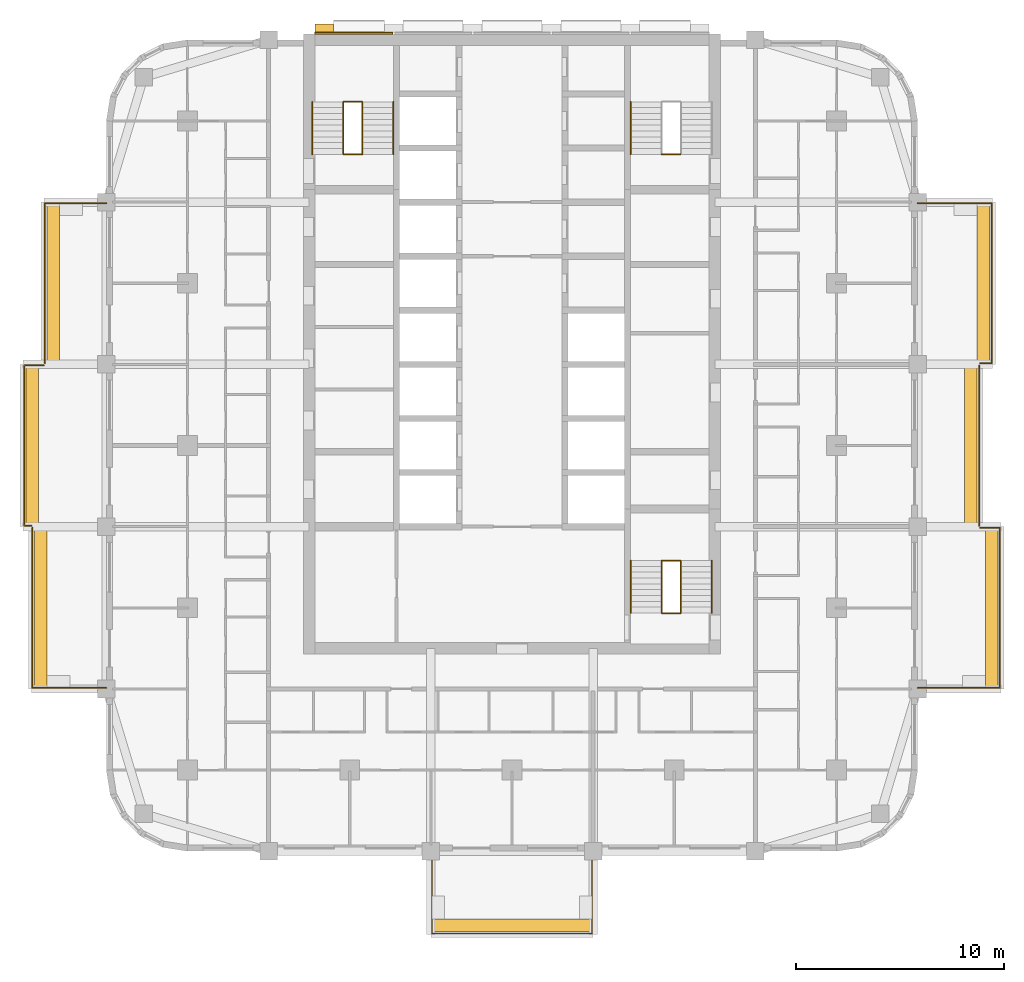
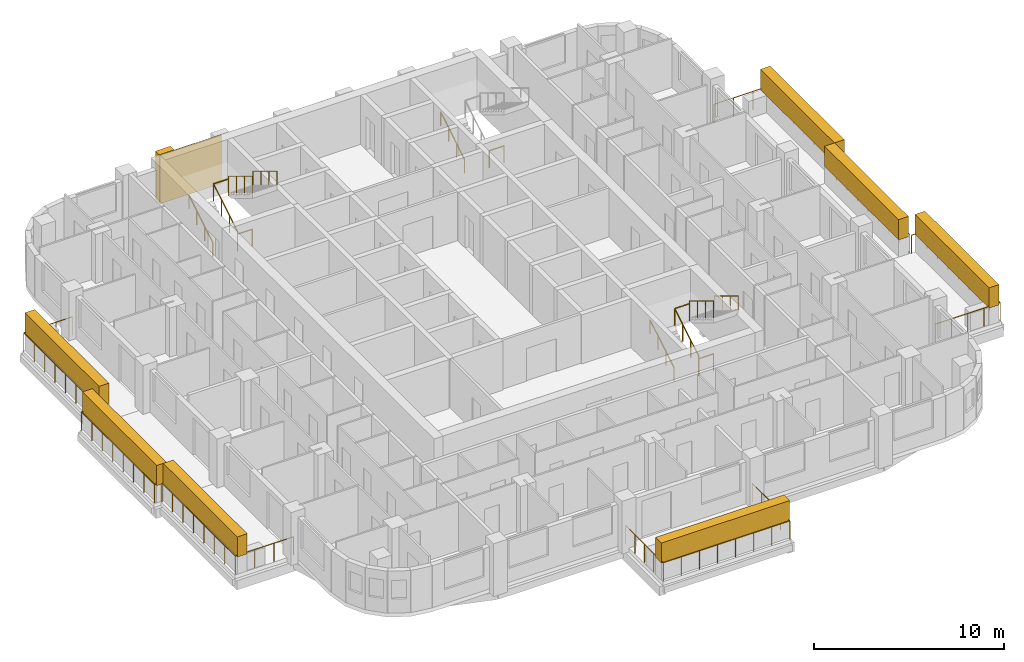
# One storey, part 13 of 14: 21 railings, 9 coverings, 3 elements without a shape of their own.
"""IFC4 building model written with IfcOpenShell, lengths in metres."""

from ifc_helpers import new_model, si_unit, direction, frame, origin, origin_2d, place, context, subcontext, project, spatial, rectangle, circle, extrude, material, layer, layer_set, type_object, element, aggregate, save


model = new_model("IFC4")

# Units and contexts
model_context = context("Model", 3, precision=1e-05, world=origin(), true_north=direction((0.0, 1.0)))
body_context = subcontext(model_context, "Body", "Model", "MODEL_VIEW")
ifc_project = project(units=[si_unit("LENGTHUNIT", "METRE"), si_unit("AREAUNIT", "SQUARE_METRE"), si_unit("VOLUMEUNIT", "CUBIC_METRE"), si_unit("PLANEANGLEUNIT", "RADIAN"), si_unit("MASSUNIT", "GRAM", prefix="KILO")], contexts=[model_context])

# Site, building, storey
site_placement = place(None, origin())
site = spatial("IfcSite", under=ifc_project, at=site_placement, CompositionType="ELEMENT")
building_placement = place(site_placement, origin())
building = spatial("IfcBuilding", under=site, at=building_placement, Name="Ludao Terraces", CompositionType="ELEMENT")
storey_placement = place(building_placement, frame((0.0, 0.0, 106.699951171875)))
storey = spatial("IfcBuildingStorey", under=building, at=storey_placement, Name="L29", CompositionType="ELEMENT", Elevation=106.699951171875)

# Railings
ifc_material_1 = material(Name="Stainless steel 304", Category="steel")
railing_type_1 = type_object("IfcRailingType", Name="ENV Balcony glass guard 1200", PredefinedType="GUARDRAIL", material=ifc_material_1)
railing_1_placement = place(storey_placement, frame((81.14990234375, 45.5, 0.0)))
element("IfcRailing", 1, at=railing_1_placement, inside=storey, type_object=railing_type_1, Name="Balcony guard L29 S1", PredefinedType="GUARDRAIL", context=body_context, shape_type="SweptSolid", body=[
    extrude(circle(Radius=0.02392578125, at=origin_2d()), frame((0.0, 0.0, 1.17578125), z_axis=(0.0, -1.0, 0.0), x_axis=(1.0, 0.0, 0.0)), (0.0, 0.0, 1.0), 3.949951171875),
    extrude(circle(Radius=0.02392578125, at=origin_2d()), frame((0.0, -3.949951171875, 1.17578125), z_axis=(1.0, 0.0, 0.0), x_axis=(0.0, 1.0, 0.0)), (0.0, 0.0, 1.0), 7.7001953125),
    extrude(circle(Radius=0.02392578125, at=origin_2d()), frame((7.7001953125, -3.949951171875, 1.17578125), z_axis=(0.0, 1.0, 0.0), x_axis=(-1.0, 0.0, 0.0)), (0.0, 0.0, 1.0), 3.949951171875),
    extrude(circle(Radius=0.02099609375, at=origin_2d()), origin(), (0.0, 0.0, 1.0), 1.15185546875),
    extrude(circle(Radius=0.02099609375, at=origin_2d()), frame((0.0, -0.987548828125, 0.0)), (0.0, 0.0, 1.0), 1.15185546875),
    extrude(circle(Radius=0.02099609375, at=origin_2d()), frame((0.0, -1.97509765625, 0.0)), (0.0, 0.0, 1.0), 1.15185546875),
    extrude(circle(Radius=0.02099609375, at=origin_2d()), frame((0.0, -2.96240234375, 0.0)), (0.0, 0.0, 1.0), 1.15185546875),
    extrude(circle(Radius=0.02099609375, at=origin_2d()), frame((0.0, -3.949951171875, 0.0)), (0.0, 0.0, 1.0), 1.15185546875),
    extrude(circle(Radius=0.02099609375, at=origin_2d()), frame((1.10009765625, -3.949951171875, 0.0)), (0.0, 0.0, 1.0), 1.15185546875),
    extrude(circle(Radius=0.02099609375, at=origin_2d()), frame((2.199951171875, -3.949951171875, 0.0)), (0.0, 0.0, 1.0), 1.15185546875),
    extrude(circle(Radius=0.02099609375, at=origin_2d()), frame((3.300048828125, -3.949951171875, 0.0)), (0.0, 0.0, 1.0), 1.15185546875),
    extrude(circle(Radius=0.02099609375, at=origin_2d()), frame((4.400146484375, -3.949951171875, 0.0)), (0.0, 0.0, 1.0), 1.15185546875),
    extrude(circle(Radius=0.02099609375, at=origin_2d()), frame((5.500244140625, -3.949951171875, 0.0)), (0.0, 0.0, 1.0), 1.15185546875),
    extrude(circle(Radius=0.02099609375, at=origin_2d()), frame((6.60009765625, -3.949951171875, 0.0)), (0.0, 0.0, 1.0), 1.15185546875),
    extrude(circle(Radius=0.02099609375, at=origin_2d()), frame((7.7001953125, -3.949951171875, 0.0)), (0.0, 0.0, 1.0), 1.15185546875),
    extrude(circle(Radius=0.02099609375, at=origin_2d()), frame((7.7001953125, -2.96240234375, 0.0)), (0.0, 0.0, 1.0), 1.15185546875),
    extrude(circle(Radius=0.02099609375, at=origin_2d()), frame((7.7001953125, -1.97509765625, 0.0)), (0.0, 0.0, 1.0), 1.15185546875),
    extrude(circle(Radius=0.02099609375, at=origin_2d()), frame((7.7001953125, -0.987548828125, 0.0)), (0.0, 0.0, 1.0), 1.15185546875),
    extrude(circle(Radius=0.02099609375, at=origin_2d()), frame((7.7001953125, 0.0, 0.0)), (0.0, 0.0, 1.0), 1.15185546875),
])
railing_2_placement = place(storey_placement, frame((104.5, 53.35009765625, 0.0)))
element("IfcRailing", 2, at=railing_2_placement, inside=storey, type_object=railing_type_1, Name="Balcony guard L29 E1", PredefinedType="GUARDRAIL", context=body_context, shape_type="SweptSolid", body=[
    extrude(circle(Radius=0.02392578125, at=origin_2d()), frame((0.0, 0.0, 1.17578125), z_axis=(1.0, 0.0, 0.0), x_axis=(0.0, 1.0, 0.0)), (0.0, 0.0, 1.0), 3.949951171875),
    extrude(circle(Radius=0.02392578125, at=origin_2d()), frame((3.949951171875, 0.0, 1.17578125), z_axis=(0.0, 1.0, 0.0), x_axis=(-1.0, 0.0, 0.0)), (0.0, 0.0, 1.0), 7.699951171875),
    extrude(circle(Radius=0.02392578125, at=origin_2d()), frame((3.949951171875, 7.699951171875, 1.17578125), z_axis=(-1.0, 0.0, 0.0), x_axis=(0.0, -1.0, 0.0)), (0.0, 0.0, 1.0), 0.949951171875),
    extrude(circle(Radius=0.02099609375, at=origin_2d()), origin(), (0.0, 0.0, 1.0), 1.15185546875),
    extrude(circle(Radius=0.02099609375, at=origin_2d()), frame((0.987548828125, 0.0, 0.0)), (0.0, 0.0, 1.0), 1.15185546875),
    extrude(circle(Radius=0.02099609375, at=origin_2d()), frame((1.97509765625, 0.0, 0.0)), (0.0, 0.0, 1.0), 1.15185546875),
    extrude(circle(Radius=0.02099609375, at=origin_2d()), frame((2.96240234375, 0.0, 0.0)), (0.0, 0.0, 1.0), 1.15185546875),
    extrude(circle(Radius=0.02099609375, at=origin_2d()), frame((3.949951171875, 0.0, 0.0)), (0.0, 0.0, 1.0), 1.15185546875),
    extrude(circle(Radius=0.02099609375, at=origin_2d()), frame((3.949951171875, 1.10009765625, 0.0)), (0.0, 0.0, 1.0), 1.15185546875),
    extrude(circle(Radius=0.02099609375, at=origin_2d()), frame((3.949951171875, 2.199951171875, 0.0)), (0.0, 0.0, 1.0), 1.15185546875),
    extrude(circle(Radius=0.02099609375, at=origin_2d()), frame((3.949951171875, 3.300048828125, 0.0)), (0.0, 0.0, 1.0), 1.15185546875),
    extrude(circle(Radius=0.02099609375, at=origin_2d()), frame((3.949951171875, 4.39990234375, 0.0)), (0.0, 0.0, 1.0), 1.15185546875),
    extrude(circle(Radius=0.02099609375, at=origin_2d()), frame((3.949951171875, 5.5, 0.0)), (0.0, 0.0, 1.0), 1.15185546875),
    extrude(circle(Radius=0.02099609375, at=origin_2d()), frame((3.949951171875, 6.599853515625, 0.0)), (0.0, 0.0, 1.0), 1.15185546875),
    extrude(circle(Radius=0.02099609375, at=origin_2d()), frame((3.949951171875, 7.699951171875, 0.0)), (0.0, 0.0, 1.0), 1.15185546875),
    extrude(circle(Radius=0.02099609375, at=origin_2d()), frame((3.0, 7.699951171875, 0.0)), (0.0, 0.0, 1.0), 1.15185546875),
])
railing_3_placement = place(storey_placement, frame((107.449951171875, 61.14990234375, 0.0)))
element("IfcRailing", 3, at=railing_3_placement, inside=storey, type_object=railing_type_1, Name="Balcony guard L29 E2", PredefinedType="GUARDRAIL", context=body_context, shape_type="SweptSolid", body=[
    extrude(circle(Radius=0.02392578125, at=origin_2d()), frame((0.0, 0.0, 1.17578125), z_axis=(0.0, 1.0, 0.0), x_axis=(-1.0, 0.0, 0.0)), (0.0, 0.0, 1.0), 7.7001953125),
    extrude(circle(Radius=0.02099609375, at=origin_2d()), origin(), (0.0, 0.0, 1.0), 1.15185546875),
    extrude(circle(Radius=0.02099609375, at=origin_2d()), frame((0.0, 1.10009765625, 0.0)), (0.0, 0.0, 1.0), 1.15185546875),
    extrude(circle(Radius=0.02099609375, at=origin_2d()), frame((0.0, 2.199951171875, 0.0)), (0.0, 0.0, 1.0), 1.15185546875),
    extrude(circle(Radius=0.02099609375, at=origin_2d()), frame((0.0, 3.300048828125, 0.0)), (0.0, 0.0, 1.0), 1.15185546875),
    extrude(circle(Radius=0.02099609375, at=origin_2d()), frame((0.0, 4.400146484375, 0.0)), (0.0, 0.0, 1.0), 1.15185546875),
    extrude(circle(Radius=0.02099609375, at=origin_2d()), frame((0.0, 5.500244140625, 0.0)), (0.0, 0.0, 1.0), 1.15185546875),
    extrude(circle(Radius=0.02099609375, at=origin_2d()), frame((0.0, 6.60009765625, 0.0)), (0.0, 0.0, 1.0), 1.15185546875),
    extrude(circle(Radius=0.02099609375, at=origin_2d()), frame((0.0, 7.7001953125, 0.0)), (0.0, 0.0, 1.0), 1.15185546875),
])
railing_4_placement = place(storey_placement, frame((107.5, 68.949951171875, 0.0)))
element("IfcRailing", 4, at=railing_4_placement, inside=storey, type_object=railing_type_1, Name="Balcony guard L29 E3", PredefinedType="GUARDRAIL", context=body_context, shape_type="SweptSolid", body=[
    extrude(circle(Radius=0.02392578125, at=origin_2d()), frame((0.0, 0.0, 1.17578125), z_axis=(1.0, 0.0, 0.0), x_axis=(0.0, 1.0, 0.0)), (0.0, 0.0, 1.0), 0.550048828125),
    extrude(circle(Radius=0.02392578125, at=origin_2d()), frame((0.550048828125, 0.0, 1.17578125), z_axis=(0.0, 1.0, 0.0), x_axis=(-1.0, 0.0, 0.0)), (0.0, 0.0, 1.0), 7.699951171875),
    extrude(circle(Radius=0.02392578125, at=origin_2d()), frame((0.550048828125, 7.699951171875, 1.17578125), z_axis=(-1.0, 0.0, 0.0), x_axis=(0.0, -1.0, 0.0)), (0.0, 0.0, 1.0), 3.550048828125),
    extrude(circle(Radius=0.02099609375, at=origin_2d()), origin(), (0.0, 0.0, 1.0), 1.15185546875),
    extrude(circle(Radius=0.02099609375, at=origin_2d()), frame((0.550048828125, 0.0, 0.0)), (0.0, 0.0, 1.0), 1.15185546875),
    extrude(circle(Radius=0.02099609375, at=origin_2d()), frame((0.550048828125, 1.10009765625, 0.0)), (0.0, 0.0, 1.0), 1.15185546875),
    extrude(circle(Radius=0.02099609375, at=origin_2d()), frame((0.550048828125, 2.199951171875, 0.0)), (0.0, 0.0, 1.0), 1.15185546875),
    extrude(circle(Radius=0.02099609375, at=origin_2d()), frame((0.550048828125, 3.300048828125, 0.0)), (0.0, 0.0, 1.0), 1.15185546875),
    extrude(circle(Radius=0.02099609375, at=origin_2d()), frame((0.550048828125, 4.39990234375, 0.0)), (0.0, 0.0, 1.0), 1.15185546875),
    extrude(circle(Radius=0.02099609375, at=origin_2d()), frame((0.550048828125, 5.5, 0.0)), (0.0, 0.0, 1.0), 1.15185546875),
    extrude(circle(Radius=0.02099609375, at=origin_2d()), frame((0.550048828125, 6.599853515625, 0.0)), (0.0, 0.0, 1.0), 1.15185546875),
    extrude(circle(Radius=0.02099609375, at=origin_2d()), frame((0.550048828125, 7.699951171875, 0.0)), (0.0, 0.0, 1.0), 1.15185546875),
    extrude(circle(Radius=0.02099609375, at=origin_2d()), frame((-0.63330078125, 7.699951171875, 0.0)), (0.0, 0.0, 1.0), 1.15185546875),
    extrude(circle(Radius=0.02099609375, at=origin_2d()), frame((-1.816650390625, 7.699951171875, 0.0)), (0.0, 0.0, 1.0), 1.15185546875),
    extrude(circle(Radius=0.02099609375, at=origin_2d()), frame((-3.0, 7.699951171875, 0.0)), (0.0, 0.0, 1.0), 1.15185546875),
])
railing_5_placement = place(storey_placement, frame((65.5, 53.35009765625, 0.0)))
element("IfcRailing", 5, at=railing_5_placement, inside=storey, type_object=railing_type_1, Name="Balcony guard L29 W1", PredefinedType="GUARDRAIL", context=body_context, shape_type="SweptSolid", body=[
    extrude(circle(Radius=0.02392578125, at=origin_2d()), frame((0.0, 0.0, 1.17578125), z_axis=(-1.0, 0.0, 0.0), x_axis=(0.0, -1.0, 0.0)), (0.0, 0.0, 1.0), 3.550048828125),
    extrude(circle(Radius=0.02392578125, at=origin_2d()), frame((-3.550048828125, 0.0, 1.17578125), z_axis=(0.0, 1.0, 0.0), x_axis=(-1.0, 0.0, 0.0)), (0.0, 0.0, 1.0), 7.699951171875),
    extrude(circle(Radius=0.02099609375, at=origin_2d()), origin(), (0.0, 0.0, 1.0), 1.15185546875),
    extrude(circle(Radius=0.02099609375, at=origin_2d()), frame((-1.183349609375, 0.0, 0.0)), (0.0, 0.0, 1.0), 1.15185546875),
    extrude(circle(Radius=0.02099609375, at=origin_2d()), frame((-2.36669921875, 0.0, 0.0)), (0.0, 0.0, 1.0), 1.15185546875),
    extrude(circle(Radius=0.02099609375, at=origin_2d()), frame((-3.550048828125, 0.0, 0.0)), (0.0, 0.0, 1.0), 1.15185546875),
    extrude(circle(Radius=0.02099609375, at=origin_2d()), frame((-3.550048828125, 1.10009765625, 0.0)), (0.0, 0.0, 1.0), 1.15185546875),
    extrude(circle(Radius=0.02099609375, at=origin_2d()), frame((-3.550048828125, 2.199951171875, 0.0)), (0.0, 0.0, 1.0), 1.15185546875),
    extrude(circle(Radius=0.02099609375, at=origin_2d()), frame((-3.550048828125, 3.300048828125, 0.0)), (0.0, 0.0, 1.0), 1.15185546875),
    extrude(circle(Radius=0.02099609375, at=origin_2d()), frame((-3.550048828125, 4.39990234375, 0.0)), (0.0, 0.0, 1.0), 1.15185546875),
    extrude(circle(Radius=0.02099609375, at=origin_2d()), frame((-3.550048828125, 5.5, 0.0)), (0.0, 0.0, 1.0), 1.15185546875),
    extrude(circle(Radius=0.02099609375, at=origin_2d()), frame((-3.550048828125, 6.599853515625, 0.0)), (0.0, 0.0, 1.0), 1.15185546875),
    extrude(circle(Radius=0.02099609375, at=origin_2d()), frame((-3.550048828125, 7.699951171875, 0.0)), (0.0, 0.0, 1.0), 1.15185546875),
])
railing_6_placement = place(storey_placement, frame((61.89990234375, 61.14990234375, 0.0)))
element("IfcRailing", 6, at=railing_6_placement, inside=storey, type_object=railing_type_1, Name="Balcony guard L29 W2", PredefinedType="GUARDRAIL", context=body_context, shape_type="SweptSolid", body=[
    extrude(circle(Radius=0.02392578125, at=origin_2d()), frame((0.0, 0.0, 1.17578125), z_axis=(-1.0, 0.0, 0.0), x_axis=(0.0, -1.0, 0.0)), (0.0, 0.0, 1.0), 0.349853515625),
    extrude(circle(Radius=0.02392578125, at=origin_2d()), frame((-0.349853515625, 0.0, 1.17578125), z_axis=(0.0, 1.0, 0.0), x_axis=(-1.0, 0.0, 0.0)), (0.0, 0.0, 1.0), 7.7001953125),
    extrude(circle(Radius=0.02392578125, at=origin_2d()), frame((-0.349853515625, 7.7001953125, 1.17578125), z_axis=(1.0, 0.0, 0.0), x_axis=(0.0, 1.0, 0.0)), (0.0, 0.0, 1.0), 0.949951171875),
    extrude(circle(Radius=0.02099609375, at=origin_2d()), origin(), (0.0, 0.0, 1.0), 1.15185546875),
    extrude(circle(Radius=0.02099609375, at=origin_2d()), frame((-0.349853515625, 0.0, 0.0)), (0.0, 0.0, 1.0), 1.15185546875),
    extrude(circle(Radius=0.02099609375, at=origin_2d()), frame((-0.349853515625, 1.10009765625, 0.0)), (0.0, 0.0, 1.0), 1.15185546875),
    extrude(circle(Radius=0.02099609375, at=origin_2d()), frame((-0.349853515625, 2.199951171875, 0.0)), (0.0, 0.0, 1.0), 1.15185546875),
    extrude(circle(Radius=0.02099609375, at=origin_2d()), frame((-0.349853515625, 3.300048828125, 0.0)), (0.0, 0.0, 1.0), 1.15185546875),
    extrude(circle(Radius=0.02099609375, at=origin_2d()), frame((-0.349853515625, 4.400146484375, 0.0)), (0.0, 0.0, 1.0), 1.15185546875),
    extrude(circle(Radius=0.02099609375, at=origin_2d()), frame((-0.349853515625, 5.500244140625, 0.0)), (0.0, 0.0, 1.0), 1.15185546875),
    extrude(circle(Radius=0.02099609375, at=origin_2d()), frame((-0.349853515625, 6.60009765625, 0.0)), (0.0, 0.0, 1.0), 1.15185546875),
    extrude(circle(Radius=0.02099609375, at=origin_2d()), frame((-0.349853515625, 7.7001953125, 0.0)), (0.0, 0.0, 1.0), 1.15185546875),
    extrude(circle(Radius=0.02099609375, at=origin_2d()), frame((0.60009765625, 7.7001953125, 0.0)), (0.0, 0.0, 1.0), 1.15185546875),
])
railing_7_placement = place(storey_placement, frame((62.550048828125, 68.949951171875, 0.0)))
element("IfcRailing", 7, at=railing_7_placement, inside=storey, type_object=railing_type_1, Name="Balcony guard L29 W3", PredefinedType="GUARDRAIL", context=body_context, shape_type="SweptSolid", body=[
    extrude(circle(Radius=0.02392578125, at=origin_2d()), frame((0.0, 0.0, 1.17578125), z_axis=(0.0, 1.0, 0.0), x_axis=(-1.0, 0.0, 0.0)), (0.0, 0.0, 1.0), 7.699951171875),
    extrude(circle(Radius=0.02392578125, at=origin_2d()), frame((0.0, 7.699951171875, 1.17578125), z_axis=(1.0, 0.0, 0.0), x_axis=(0.0, 1.0, 0.0)), (0.0, 0.0, 1.0), 2.949951171875),
    extrude(circle(Radius=0.02099609375, at=origin_2d()), origin(), (0.0, 0.0, 1.0), 1.15185546875),
    extrude(circle(Radius=0.02099609375, at=origin_2d()), frame((0.0, 1.10009765625, 0.0)), (0.0, 0.0, 1.0), 1.15185546875),
    extrude(circle(Radius=0.02099609375, at=origin_2d()), frame((0.0, 2.199951171875, 0.0)), (0.0, 0.0, 1.0), 1.15185546875),
    extrude(circle(Radius=0.02099609375, at=origin_2d()), frame((0.0, 3.300048828125, 0.0)), (0.0, 0.0, 1.0), 1.15185546875),
    extrude(circle(Radius=0.02099609375, at=origin_2d()), frame((0.0, 4.39990234375, 0.0)), (0.0, 0.0, 1.0), 1.15185546875),
    extrude(circle(Radius=0.02099609375, at=origin_2d()), frame((0.0, 5.5, 0.0)), (0.0, 0.0, 1.0), 1.15185546875),
    extrude(circle(Radius=0.02099609375, at=origin_2d()), frame((0.0, 6.599853515625, 0.0)), (0.0, 0.0, 1.0), 1.15185546875),
    extrude(circle(Radius=0.02099609375, at=origin_2d()), frame((0.0, 7.699951171875, 0.0)), (0.0, 0.0, 1.0), 1.15185546875),
    extrude(circle(Radius=0.02099609375, at=origin_2d()), frame((0.9833984375, 7.699951171875, 0.0)), (0.0, 0.0, 1.0), 1.15185546875),
    extrude(circle(Radius=0.02099609375, at=origin_2d()), frame((1.966552734375, 7.699951171875, 0.0)), (0.0, 0.0, 1.0), 1.15185546875),
    extrude(circle(Radius=0.02099609375, at=origin_2d()), frame((2.949951171875, 7.699951171875, 0.0)), (0.0, 0.0, 1.0), 1.15185546875),
])

# Coverings
ifc_material_2 = material(Name="Granite cladding", Category="masonry")
ifc_layer_1 = layer(ifc_material_2, 0.39990234375)
ifc_layer_set_1 = layer_set([ifc_layer_1], Name="ENV Core pilaster stone 400")
covering_type_1 = type_object("IfcCoveringType", Name="ENV Core pilaster stone 400", PredefinedType="CLADDING", material=ifc_layer_set_1)
covering_1_placement = place(storey_placement, frame((75.97509765625, 85.054931640625, 0.0), z_axis=(0.0, 0.0, 1.0), x_axis=(1.0, 0.0, 0.0)))
element("IfcCovering", 8, at=covering_1_placement, inside=storey, type_object=covering_type_1, Name="CC-L29-PIL1", PredefinedType="CLADDING", context=body_context, shape_type="SweptSolid", body=[
    extrude(rectangle(XDim=0.89990234375, YDim=0.39990234375, at=origin_2d()), origin(), (0.0, 0.0, 1.0), 3.10009765625),
])
ifc_layer_2 = layer(ifc_material_2, 0.080078125)
ifc_layer_set_2 = layer_set([ifc_layer_2], Name="ENV Core stone cladding panel 80")
covering_type_2 = type_object("IfcCoveringType", Name="ENV Core stone cladding panel 80", PredefinedType="CLADDING", material=ifc_layer_set_2)
covering_2_placement = place(storey_placement, frame((77.39501953125, 84.81494140625, 0.0), z_axis=(0.0, 0.0, 1.0), x_axis=(1.0, 0.0, 0.0)))
element("IfcCovering", 9, at=covering_2_placement, inside=storey, type_object=covering_type_2, Name="CC-L29-CORE1", PredefinedType="CLADDING", context=body_context, shape_type="SweptSolid", body=[
    extrude(rectangle(XDim=3.739990234375, YDim=0.080078125, at=origin_2d()), origin(), (0.0, 0.0, 1.0), 3.10009765625),
])
ifc_material_3 = material(Name="Planting")
ifc_layer_3 = layer(ifc_material_3, 0.60009765625)
ifc_layer_set_3 = layer_set([ifc_layer_3], Name="ENV Planting hedge 600x1300")
covering_type_3 = type_object("IfcCoveringType", Name="ENV Planting hedge 600x1300", PredefinedType="USERDEFINED", material=ifc_layer_set_3)
covering_3_placement = place(storey_placement, frame((85.0, 41.949951171875, 1.10009765625), z_axis=(0.0, 0.0, 1.0), x_axis=(1.0, 0.0, 0.0)))
element("IfcCovering", 10, at=covering_3_placement, inside=storey, type_object=covering_type_3, Name="Planting hedge L29-S1", ObjectType="PLANTING", PredefinedType="USERDEFINED", context=body_context, shape_type="SweptSolid", body=[
    extrude(rectangle(XDim=7.800048828125, YDim=0.60009765625, at=origin_2d()), origin(), (0.0, 0.0, 1.0), 1.300048828125),
])
for number, where, z_axis, x_axis, name in (
    (11, (108.050048828125, 57.199951171875, 1.10009765625), (0.0, 0.0, 1.0), (1.0, 0.0, 0.0), "Planting hedge L29-E1"),
    (12, (107.050048828125, 65.0, 1.10009765625), (0.0, 0.0, 1.0), (1.0, 0.0, 0.0), "Planting hedge L29-E2"),
    (13, (107.64990234375, 72.800048828125, 1.10009765625), (0.0, 0.0, 1.0), (1.0, 0.0, 0.0), "Planting hedge L29-E3"),
    (14, (62.35009765625, 57.199951171875, 1.10009765625), (0.0, 0.0, 1.0), (1.0, 0.0, 0.0), "Planting hedge L29-W1"),
    (15, (61.949951171875, 65.0, 1.10009765625), (0.0, 0.0, 1.0), (1.0, 0.0, 0.0), "Planting hedge L29-W2"),
    (16, (62.949951171875, 72.800048828125, 1.10009765625), (0.0, 0.0, 1.0), (1.0, 0.0, 0.0), "Planting hedge L29-W3"),
):
    element("IfcCovering", number, at=place(storey_placement, frame(where, z_axis=z_axis, x_axis=x_axis)), inside=storey, type_object=covering_type_3, Name=name, ObjectType="PLANTING", PredefinedType="USERDEFINED", context=body_context, shape_type="SweptSolid", body=[
        extrude(rectangle(XDim=0.60009765625, YDim=7.800048828125, at=origin_2d()), origin(), (0.0, 0.0, 1.0), 1.300048828125),
    ])

# Stair, railings
ifc_material_4 = material(Name="Concrete C40", Category="concrete")
stair_type = type_object("IfcStairType", Name="INT Stair", PredefinedType="HALF_TURN_STAIR", material=ifc_material_4)
stair_1_placement = place(storey_placement, origin())
stair_1 = element("IfcStair", 17, at=stair_1_placement, inside=storey, type_object=stair_type, Name="EXIT STAIR 1", PredefinedType="HALF_TURN_STAIR")
railing_type_2 = type_object("IfcRailingType", Name="INT Stair guard 1100", PredefinedType="GUARDRAIL", material=ifc_material_1)
railing_8_placement = place(storey_placement, frame((76.89990234375, 79.0, 0.170166015625)))
railing_8 = element("IfcRailing", 18, at=railing_8_placement, type_object=railing_type_2, Name="ST-L29-S1-R1G", PredefinedType="GUARDRAIL", context=body_context, shape_type="SweptSolid", body=[
    extrude(circle(Radius=0.02392578125, at=origin_2d()), frame((0.0, 0.0, 1.076171875), z_axis=(0.0, 0.854821627497, 0.518921945155), x_axis=(-1.0, 0.0, 0.0)), (0.0, 0.0, 1.0), 2.947998046875),
    extrude(circle(Radius=0.02099609375, at=origin_2d()), origin(), (0.0, 0.0, 1.0), 1.052001953125),
    extrude(circle(Radius=0.02099609375, at=origin_2d()), frame((0.0, 0.840087890625, 0.510009765625)), (0.0, 0.0, 1.0), 1.052001953125),
    extrude(circle(Radius=0.02099609375, at=origin_2d()), frame((0.0, 1.679931640625, 1.019775390625)), (0.0, 0.0, 1.0), 1.052001953125),
    extrude(circle(Radius=0.02099609375, at=origin_2d()), frame((0.0, 2.52001953125, 1.52978515625)), (0.0, 0.0, 1.0), 1.052001953125),
])
railing_9_placement = place(storey_placement, frame((77.800048828125, 81.52001953125, 1.8701171875)))
railing_9 = element("IfcRailing", 19, at=railing_9_placement, type_object=railing_type_2, Name="ST-L29-S1-R2G", PredefinedType="GUARDRAIL", context=body_context, shape_type="SweptSolid", body=[
    extrude(circle(Radius=0.02392578125, at=origin_2d()), frame((0.0, 0.0, 1.076171875), z_axis=(0.0, -0.85478489116, 0.518982456201), x_axis=(1.0, 0.0, 0.0)), (0.0, 0.0, 1.0), 2.9482421875),
    extrude(circle(Radius=0.02099609375, at=origin_2d()), origin(), (0.0, 0.0, 1.0), 1.052001953125),
    extrude(circle(Radius=0.02099609375, at=origin_2d()), frame((0.0, -0.840087890625, 0.510009765625)), (0.0, 0.0, 1.0), 1.052001953125),
    extrude(circle(Radius=0.02099609375, at=origin_2d()), frame((0.0, -1.679931640625, 1.02001953125)), (0.0, 0.0, 1.0), 1.052001953125),
    extrude(circle(Radius=0.02099609375, at=origin_2d()), frame((0.0, -2.52001953125, 1.530029296875)), (0.0, 0.0, 1.0), 1.052001953125),
])
railing_10_placement = place(storey_placement, frame((76.89990234375, 81.52001953125, 1.699951171875)))
railing_10 = element("IfcRailing", 20, at=railing_10_placement, type_object=railing_type_2, Name="ST-L29-S1-E1G", PredefinedType="GUARDRAIL", context=body_context, shape_type="SweptSolid", body=[
    extrude(circle(Radius=0.02392578125, at=origin_2d()), frame((0.0, 0.0, 1.076171875), z_axis=(1.0, 0.0, 0.0), x_axis=(0.0, 1.0, 0.0)), (0.0, 0.0, 1.0), 0.900146484375),
    extrude(circle(Radius=0.02099609375, at=origin_2d()), origin(), (0.0, 0.0, 1.0), 1.052001953125),
    extrude(circle(Radius=0.02099609375, at=origin_2d()), frame((0.900146484375, 0.0, 0.0)), (0.0, 0.0, 1.0), 1.052001953125),
])
railing_11_placement = place(storey_placement, frame((76.89990234375, 79.0, 0.0)))
railing_11 = element("IfcRailing", 21, at=railing_11_placement, type_object=railing_type_2, Name="ST-L29-S1-E2G", PredefinedType="GUARDRAIL", context=body_context, shape_type="SweptSolid", body=[
    extrude(circle(Radius=0.02392578125, at=origin_2d()), frame((0.0, 0.0, 1.076171875), z_axis=(1.0, 0.0, 0.0), x_axis=(0.0, 1.0, 0.0)), (0.0, 0.0, 1.0), 0.900146484375),
    extrude(circle(Radius=0.02099609375, at=origin_2d()), origin(), (0.0, 0.0, 1.0), 1.052001953125),
    extrude(circle(Radius=0.02099609375, at=origin_2d()), frame((0.900146484375, 0.0, 0.0)), (0.0, 0.0, 1.0), 1.052001953125),
])

# Stair, railing
stair_2_placement = place(storey_placement, origin())
stair_2 = element("IfcStair", 22, at=stair_2_placement, inside=storey, type_object=stair_type, Name="EXIT STAIR 2", PredefinedType="HALF_TURN_STAIR")
railing_12_placement = place(storey_placement, frame((92.199951171875, 79.0, 0.0)))
railing_12 = element("IfcRailing", 23, at=railing_12_placement, type_object=railing_type_2, Name="ST-L29-S2-E2G", PredefinedType="GUARDRAIL", context=body_context, shape_type="SweptSolid", body=[
    extrude(circle(Radius=0.02392578125, at=origin_2d()), frame((0.0, 0.0, 1.076171875), z_axis=(1.0, 0.0, 0.0), x_axis=(0.0, 1.0, 0.0)), (0.0, 0.0, 1.0), 0.900146484375),
    extrude(circle(Radius=0.02099609375, at=origin_2d()), origin(), (0.0, 0.0, 1.0), 1.052001953125),
    extrude(circle(Radius=0.02099609375, at=origin_2d()), frame((0.900146484375, 0.0, 0.0)), (0.0, 0.0, 1.0), 1.052001953125),
])

# Stair, railings
stair_3_placement = place(storey_placement, origin())
stair_3 = element("IfcStair", 24, at=stair_3_placement, inside=storey, type_object=stair_type, Name="EXIT STAIR 3", PredefinedType="HALF_TURN_STAIR")
railing_13_placement = place(storey_placement, frame((92.199951171875, 56.949951171875, 0.170166015625)))
railing_13 = element("IfcRailing", 25, at=railing_13_placement, type_object=railing_type_2, Name="ST-L29-S3-R1G", PredefinedType="GUARDRAIL", context=body_context, shape_type="SweptSolid", body=[
    extrude(circle(Radius=0.02392578125, at=origin_2d()), frame((0.0, 0.0, 1.076171875), z_axis=(0.0, 0.854821627497, 0.518921945155), x_axis=(-1.0, 0.0, 0.0)), (0.0, 0.0, 1.0), 2.947998046875),
    extrude(circle(Radius=0.02099609375, at=origin_2d()), origin(), (0.0, 0.0, 1.0), 1.052001953125),
    extrude(circle(Radius=0.02099609375, at=origin_2d()), frame((0.0, 0.840087890625, 0.510009765625)), (0.0, 0.0, 1.0), 1.052001953125),
    extrude(circle(Radius=0.02099609375, at=origin_2d()), frame((0.0, 1.679931640625, 1.019775390625)), (0.0, 0.0, 1.0), 1.052001953125),
    extrude(circle(Radius=0.02099609375, at=origin_2d()), frame((0.0, 2.52001953125, 1.52978515625)), (0.0, 0.0, 1.0), 1.052001953125),
])
railing_14_placement = place(storey_placement, frame((93.10009765625, 59.469970703125, 1.8701171875)))
railing_14 = element("IfcRailing", 26, at=railing_14_placement, type_object=railing_type_2, Name="ST-L29-S3-R2G", PredefinedType="GUARDRAIL", context=body_context, shape_type="SweptSolid", body=[
    extrude(circle(Radius=0.02392578125, at=origin_2d()), frame((0.0, 0.0, 1.076171875), z_axis=(0.0, -0.85478489116, 0.518982456201), x_axis=(1.0, 0.0, 0.0)), (0.0, 0.0, 1.0), 2.9482421875),
    extrude(circle(Radius=0.02099609375, at=origin_2d()), origin(), (0.0, 0.0, 1.0), 1.052001953125),
    extrude(circle(Radius=0.02099609375, at=origin_2d()), frame((0.0, -0.840087890625, 0.510009765625)), (0.0, 0.0, 1.0), 1.052001953125),
    extrude(circle(Radius=0.02099609375, at=origin_2d()), frame((0.0, -1.679931640625, 1.02001953125)), (0.0, 0.0, 1.0), 1.052001953125),
    extrude(circle(Radius=0.02099609375, at=origin_2d()), frame((0.0, -2.52001953125, 1.530029296875)), (0.0, 0.0, 1.0), 1.052001953125),
])
railing_15_placement = place(storey_placement, frame((92.199951171875, 59.469970703125, 1.699951171875)))
railing_15 = element("IfcRailing", 27, at=railing_15_placement, type_object=railing_type_2, Name="ST-L29-S3-E1G", PredefinedType="GUARDRAIL", context=body_context, shape_type="SweptSolid", body=[
    extrude(circle(Radius=0.02392578125, at=origin_2d()), frame((0.0, 0.0, 1.076171875), z_axis=(1.0, 0.0, 0.0), x_axis=(0.0, 1.0, 0.0)), (0.0, 0.0, 1.0), 0.900146484375),
    extrude(circle(Radius=0.02099609375, at=origin_2d()), origin(), (0.0, 0.0, 1.0), 1.052001953125),
    extrude(circle(Radius=0.02099609375, at=origin_2d()), frame((0.900146484375, 0.0, 0.0)), (0.0, 0.0, 1.0), 1.052001953125),
])
railing_16_placement = place(storey_placement, frame((92.199951171875, 56.949951171875, 0.0)))
railing_16 = element("IfcRailing", 28, at=railing_16_placement, type_object=railing_type_2, Name="ST-L29-S3-E2G", PredefinedType="GUARDRAIL", context=body_context, shape_type="SweptSolid", body=[
    extrude(circle(Radius=0.02392578125, at=origin_2d()), frame((0.0, 0.0, 1.076171875), z_axis=(1.0, 0.0, 0.0), x_axis=(0.0, 1.0, 0.0)), (0.0, 0.0, 1.0), 0.900146484375),
    extrude(circle(Radius=0.02099609375, at=origin_2d()), origin(), (0.0, 0.0, 1.0), 1.052001953125),
    extrude(circle(Radius=0.02099609375, at=origin_2d()), frame((0.900146484375, 0.0, 0.0)), (0.0, 0.0, 1.0), 1.052001953125),
])

# Railing
railing_type_3 = type_object("IfcRailingType", Name="INT Stair handrail 900", PredefinedType="HANDRAIL", material=ifc_material_1)
railing_17_placement = place(storey_placement, frame((75.39990234375, 79.0, 0.170166015625)))
railing_17 = element("IfcRailing", 29, at=railing_17_placement, type_object=railing_type_3, Name="ST-L29-S1-R1H", PredefinedType="HANDRAIL", context=body_context, shape_type="SweptSolid", body=[
    extrude(circle(Radius=0.02392578125, at=origin_2d()), frame((0.0, 0.0, 0.8759765625), z_axis=(0.0, 0.854821627497, 0.518921945155), x_axis=(-1.0, 0.0, 0.0)), (0.0, 0.0, 1.0), 2.947998046875),
    extrude(circle(Radius=0.02099609375, at=origin_2d()), origin(), (0.0, 0.0, 1.0), 0.851806640625),
    extrude(circle(Radius=0.02099609375, at=origin_2d()), frame((0.0, 0.840087890625, 0.510009765625)), (0.0, 0.0, 1.0), 0.851806640625),
    extrude(circle(Radius=0.02099609375, at=origin_2d()), frame((0.0, 1.679931640625, 1.019775390625)), (0.0, 0.0, 1.0), 0.851806640625),
    extrude(circle(Radius=0.02099609375, at=origin_2d()), frame((0.0, 2.52001953125, 1.52978515625)), (0.0, 0.0, 1.0), 0.851806640625),
])

railing_18_placement = place(storey_placement, frame((79.300048828125, 81.52001953125, 1.8701171875)))
railing_18 = element("IfcRailing", 30, at=railing_18_placement, type_object=railing_type_3, Name="ST-L29-S1-R2H", PredefinedType="HANDRAIL", context=body_context, shape_type="SweptSolid", body=[
    extrude(circle(Radius=0.02392578125, at=origin_2d()), frame((0.0, 0.0, 0.8759765625), z_axis=(0.0, -0.85478489116, 0.518982456201), x_axis=(1.0, 0.0, 0.0)), (0.0, 0.0, 1.0), 2.9482421875),
    extrude(circle(Radius=0.02099609375, at=origin_2d()), origin(), (0.0, 0.0, 1.0), 0.851806640625),
    extrude(circle(Radius=0.02099609375, at=origin_2d()), frame((0.0, -0.840087890625, 0.510009765625)), (0.0, 0.0, 1.0), 0.851806640625),
    extrude(circle(Radius=0.02099609375, at=origin_2d()), frame((0.0, -1.679931640625, 1.02001953125)), (0.0, 0.0, 1.0), 0.851806640625),
    extrude(circle(Radius=0.02099609375, at=origin_2d()), frame((0.0, -2.52001953125, 1.530029296875)), (0.0, 0.0, 1.0), 0.851806640625),
])

aggregate(stair_1, [railing_8, railing_17, railing_9, railing_18, railing_10, railing_11])

railing_19_placement = place(storey_placement, frame((90.699951171875, 79.0, 0.170166015625)))
railing_19 = element("IfcRailing", 31, at=railing_19_placement, type_object=railing_type_3, Name="ST-L29-S2-R1H", PredefinedType="HANDRAIL", context=body_context, shape_type="SweptSolid", body=[
    extrude(circle(Radius=0.02392578125, at=origin_2d()), frame((0.0, 0.0, 0.8759765625), z_axis=(0.0, 0.854821627497, 0.518921945155), x_axis=(-1.0, 0.0, 0.0)), (0.0, 0.0, 1.0), 2.947998046875),
    extrude(circle(Radius=0.02099609375, at=origin_2d()), origin(), (0.0, 0.0, 1.0), 0.851806640625),
    extrude(circle(Radius=0.02099609375, at=origin_2d()), frame((0.0, 0.840087890625, 0.510009765625)), (0.0, 0.0, 1.0), 0.851806640625),
    extrude(circle(Radius=0.02099609375, at=origin_2d()), frame((0.0, 1.679931640625, 1.019775390625)), (0.0, 0.0, 1.0), 0.851806640625),
    extrude(circle(Radius=0.02099609375, at=origin_2d()), frame((0.0, 2.52001953125, 1.52978515625)), (0.0, 0.0, 1.0), 0.851806640625),
])

aggregate(stair_2, [railing_19, railing_12])

railing_20_placement = place(storey_placement, frame((90.699951171875, 56.949951171875, 0.170166015625)))
railing_20 = element("IfcRailing", 32, at=railing_20_placement, type_object=railing_type_3, Name="ST-L29-S3-R1H", PredefinedType="HANDRAIL", context=body_context, shape_type="SweptSolid", body=[
    extrude(circle(Radius=0.02392578125, at=origin_2d()), frame((0.0, 0.0, 0.8759765625), z_axis=(0.0, 0.854821627497, 0.518921945155), x_axis=(-1.0, 0.0, 0.0)), (0.0, 0.0, 1.0), 2.947998046875),
    extrude(circle(Radius=0.02099609375, at=origin_2d()), origin(), (0.0, 0.0, 1.0), 0.851806640625),
    extrude(circle(Radius=0.02099609375, at=origin_2d()), frame((0.0, 0.840087890625, 0.510009765625)), (0.0, 0.0, 1.0), 0.851806640625),
    extrude(circle(Radius=0.02099609375, at=origin_2d()), frame((0.0, 1.679931640625, 1.019775390625)), (0.0, 0.0, 1.0), 0.851806640625),
    extrude(circle(Radius=0.02099609375, at=origin_2d()), frame((0.0, 2.52001953125, 1.52978515625)), (0.0, 0.0, 1.0), 0.851806640625),
])

railing_21_placement = place(storey_placement, frame((94.60009765625, 59.469970703125, 1.8701171875)))
railing_21 = element("IfcRailing", 33, at=railing_21_placement, type_object=railing_type_3, Name="ST-L29-S3-R2H", PredefinedType="HANDRAIL", context=body_context, shape_type="SweptSolid", body=[
    extrude(circle(Radius=0.02392578125, at=origin_2d()), frame((0.0, 0.0, 0.8759765625), z_axis=(0.0, -0.85478489116, 0.518982456201), x_axis=(1.0, 0.0, 0.0)), (0.0, 0.0, 1.0), 2.9482421875),
    extrude(circle(Radius=0.02099609375, at=origin_2d()), origin(), (0.0, 0.0, 1.0), 0.851806640625),
    extrude(circle(Radius=0.02099609375, at=origin_2d()), frame((0.0, -0.840087890625, 0.510009765625)), (0.0, 0.0, 1.0), 0.851806640625),
    extrude(circle(Radius=0.02099609375, at=origin_2d()), frame((0.0, -1.679931640625, 1.02001953125)), (0.0, 0.0, 1.0), 0.851806640625),
    extrude(circle(Radius=0.02099609375, at=origin_2d()), frame((0.0, -2.52001953125, 1.530029296875)), (0.0, 0.0, 1.0), 0.851806640625),
])

aggregate(stair_3, [railing_13, railing_20, railing_14, railing_21, railing_15, railing_16])

save(model, "model.ifc")
